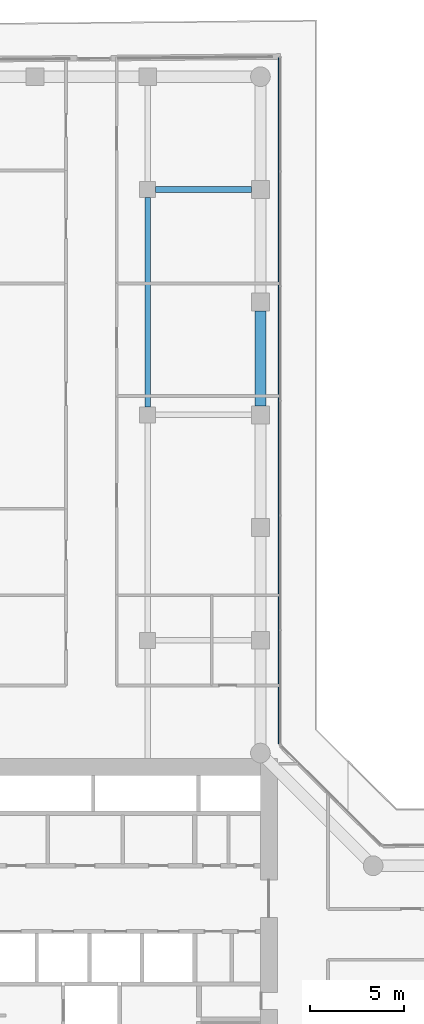
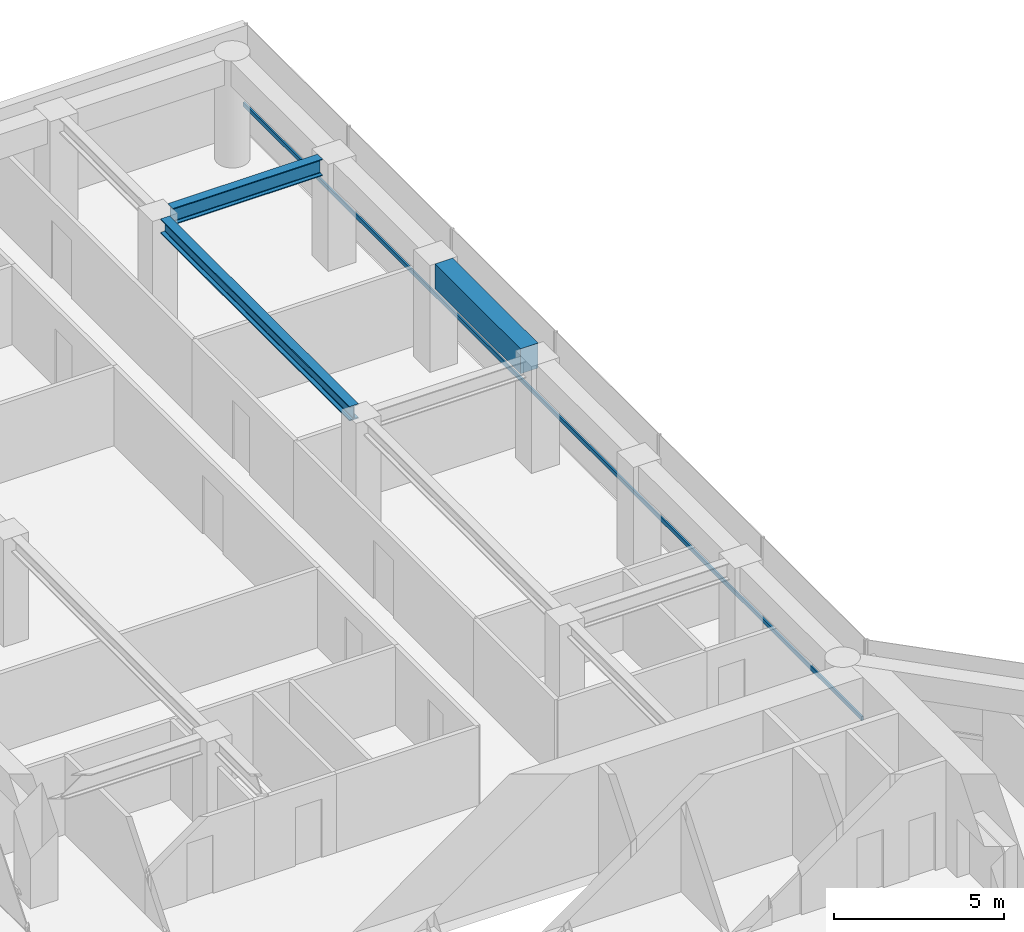
# One storey, part 17 of 28: 3 beams, 1 member, 1 element without a shape of its own.
"""IFC4 building model written with IfcOpenShell, lengths in metres."""

from ifc_helpers import new_model, si_unit, direction, frame, origin, origin_2d, place, context, subcontext, project, spatial, rectangle, i_section, extrude, material, layer, layer_set, material_profile, profile_set, type_object, element, aggregate, save


model = new_model("IFC4")

# Units and contexts
model_context = context("Model", 3, precision=1e-05, world=origin(), true_north=direction((0.0, 1.0)))
body_context = subcontext(model_context, "Body", "Model", "MODEL_VIEW")
ifc_project = project(units=[si_unit("LENGTHUNIT", "METRE"), si_unit("AREAUNIT", "SQUARE_METRE"), si_unit("VOLUMEUNIT", "CUBIC_METRE"), si_unit("PLANEANGLEUNIT", "RADIAN"), si_unit("MASSUNIT", "GRAM", prefix="KILO")], contexts=[model_context])

# Site, building, storey
site_placement = place(None, origin())
site = spatial("IfcSite", under=ifc_project, at=site_placement, CompositionType="ELEMENT")
building_placement = place(site_placement, origin())
building = spatial("IfcBuilding", under=site, at=building_placement, Name="Welwitschia Terrace Campus", CompositionType="ELEMENT")
storey_placement = place(building_placement, frame((0.0, 0.0, 54.199951171875)))
storey = spatial("IfcBuildingStorey", under=building, at=storey_placement, Name="L12", CompositionType="ELEMENT", Elevation=54.199951171875)

# Beams
ifc_material_1 = material(Name="Steel S355", Category="steel")
ifc_material_profile_1 = material_profile(ifc_material_1, i_section(OverallWidth=0.305908203125, OverallDepth=0.52392578125, WebThickness=0.02099609375, FlangeThickness=0.0400390625, FilletRadius=0.027099609375, at=origin_2d()))
ifc_profile_set_1 = profile_set([ifc_material_profile_1], Name="Steel S355")
beam_type_1 = type_object("IfcBeamType", Name="Interior girder HE 500 M", PredefinedType="BEAM", material=ifc_profile_set_1)
beam_1_placement = place(storey_placement, frame((18.0, 44.425537109375, 3.588134765625), z_axis=(0.0, 1.0, 0.0), x_axis=(-1.0, 0.0, 0.0)))
element("IfcBeam", 1, at=beam_1_placement, inside=storey, type_object=beam_type_1, Name="Girder GB2", PredefinedType="BEAM", context=body_context, shape_type="SweptSolid", body=[
    extrude(i_section(OverallWidth=0.305908203125, OverallDepth=0.52392578125, WebThickness=0.02099609375, FlangeThickness=0.0400390625, FilletRadius=0.027099609375, at=origin_2d()), origin(), (0.0, 0.0, 1.0), 11.14892578125),
])
ifc_material_2 = material(Name="Steel S355", Category="steel")
ifc_material_profile_2 = material_profile(ifc_material_2, i_section(OverallWidth=0.300048828125, OverallDepth=0.60009765625, WebThickness=0.015380859375, FlangeThickness=0.030029296875, FilletRadius=0.027099609375, at=origin_2d()))
ifc_profile_set_2 = profile_set([ifc_material_profile_2], Name="Steel S355")
beam_type_2 = type_object("IfcBeamType", Name="Primary beam HE 600 B", PredefinedType="BEAM", material=ifc_profile_set_2)
beam_2_placement = place(storey_placement, frame((23.5244140625, 56.0, 3.550048828125), z_axis=(-1.0, 0.0, 0.0), x_axis=(0.0, -1.0, 0.0)))
element("IfcBeam", 2, at=beam_2_placement, inside=storey, type_object=beam_type_2, Name="Primary beam PB2", PredefinedType="BEAM", context=body_context, shape_type="SweptSolid", body=[
    extrude(i_section(OverallWidth=0.300048828125, OverallDepth=0.60009765625, WebThickness=0.015380859375, FlangeThickness=0.030029296875, FilletRadius=0.027099609375, at=origin_2d()), origin(), (0.0, 0.0, 1.0), 5.098876953125),
])
ifc_material_3 = material(Name="Concrete C60/75", Category="concrete")
ifc_material_profile_3 = material_profile(ifc_material_3, rectangle(XDim=0.60009765625, YDim=0.89990234375, at=origin_2d()))
ifc_profile_set_3 = profile_set([ifc_material_profile_3], Name="Concrete C60/75")
beam_type_3 = type_object("IfcBeamType", Name="Ring spandrel 600x900", PredefinedType="SPANDREL", material=ifc_profile_set_3)
beam_3_placement = place(storey_placement, frame((24.0, 44.4755859375, 3.400146484375), z_axis=(0.0, 1.0, 0.0), x_axis=(-1.0, 0.0, 0.0)))
element("IfcBeam", 3, at=beam_3_placement, inside=storey, type_object=beam_type_3, Name="Spandrel SP2", PredefinedType="SPANDREL", context=body_context, shape_type="SweptSolid", body=[
    extrude(rectangle(XDim=0.60009765625, YDim=0.89990234375, at=origin_2d()), origin(), (0.0, 0.0, 1.0), 5.048828125),
])

# Curtain wall, member
ifc_material_4 = material(Name="Bronze anodised aluminium", Category="aluminium")
ifc_layer = layer(ifc_material_4, 0.1201171875)
ifc_layer_set = layer_set([ifc_layer], Name="Bronze anodised aluminium")
curtain_wall_type = type_object("IfcCurtainWallType", Name="Curtain wall CW2 tower 6000", PredefinedType="NOTDEFINED", material=ifc_layer_set)
curtain_wall_placement = place(storey_placement, origin())
curtain_wall = element("IfcCurtainWall", 4, at=curtain_wall_placement, inside=storey, type_object=curtain_wall_type, Name="CW L12.10.0", PredefinedType="NOTDEFINED")
ifc_material_5 = material(Name="Bronze anodised aluminium", Category="aluminium")
ifc_material_profile_4 = material_profile(ifc_material_5, rectangle(XDim=0.06005859375, YDim=0.14990234375, at=origin_2d()))
ifc_profile_set_4 = profile_set([ifc_material_profile_4], Name="Bronze anodised aluminium")
member_type = type_object("IfcMemberType", Name="Transom 60x150", PredefinedType="USERDEFINED", material=ifc_profile_set_4)
member_placement = place(storey_placement, frame((24.968017578125, 26.49853515625, 1.0), z_axis=(0.0, 1.0, 0.0), x_axis=(-1.0, 0.0, 0.0)))
member = element("IfcMember", 5, at=member_placement, type_object=member_type, Name="Transom L12.10.0", ObjectType="TRANSOM", PredefinedType="USERDEFINED", context=body_context, shape_type="SweptSolid", body=[
    extrude(rectangle(XDim=0.06005859375, YDim=0.14990234375, at=origin_2d()), origin(), (0.0, 0.0, 1.0), 36.5),
])
aggregate(curtain_wall, [member])

save(model, "model.ifc")
